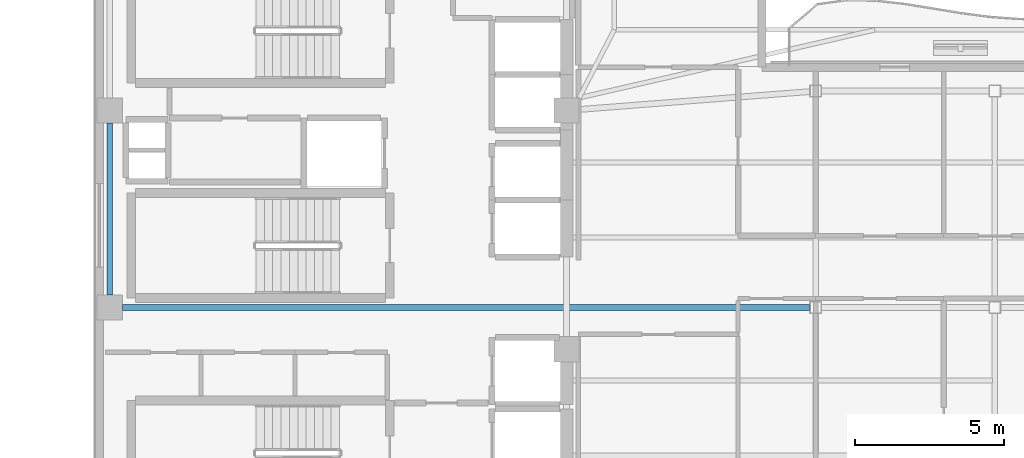
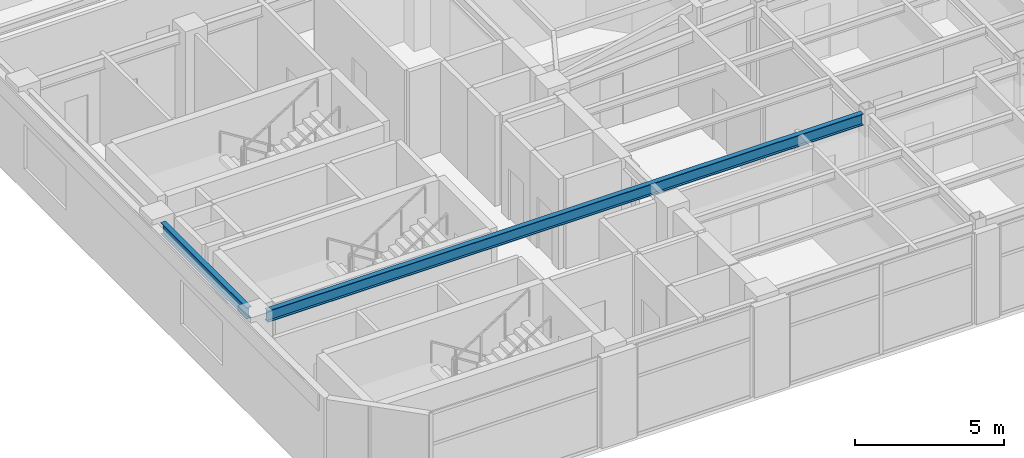
# One storey, part 3 of 15: 2 beams.
"""IFC4 building model written with IfcOpenShell, lengths in metres."""

from ifc_helpers import new_model, si_unit, direction, frame, origin, origin_2d, place, context, subcontext, project, spatial, i_section, extrude, material, material_profile, profile_set, type_object, element, save


model = new_model("IFC4")

# Units and contexts
model_context = context("Model", 3, precision=1e-05, world=origin(), true_north=direction((0.0, 1.0)))
body_context = subcontext(model_context, "Body", "Model", "MODEL_VIEW")
ifc_project = project(units=[si_unit("LENGTHUNIT", "METRE"), si_unit("AREAUNIT", "SQUARE_METRE"), si_unit("VOLUMEUNIT", "CUBIC_METRE"), si_unit("PLANEANGLEUNIT", "RADIAN"), si_unit("MASSUNIT", "GRAM", prefix="KILO")], contexts=[model_context])

# Site, building, storey
site_placement = place(None, origin())
site = spatial("IfcSite", under=ifc_project, at=site_placement, CompositionType="ELEMENT")
building_placement = place(site_placement, origin())
building = spatial("IfcBuilding", under=site, at=building_placement, Name="Mawjaban Terraces University", CompositionType="ELEMENT")
storey_placement = place(building_placement, frame((0.0, 0.0, 279.39990234375)))
storey = spatial("IfcBuildingStorey", under=building, at=storey_placement, Name="L68", CompositionType="ELEMENT", Elevation=279.39990234375)

# Beams
ifc_material = material(Name="Steel ASTM A572 Grade 50", Category="steel")
ifc_material_profile = material_profile(ifc_material, i_section(OverallWidth=0.194091796875, OverallDepth=0.468994140625, WebThickness=0.011474609375, FlangeThickness=0.0205078125, at=origin_2d()), Name="W460X106")
ifc_profile_set = profile_set([ifc_material_profile], Name="Steel ASTM A572 Grade 50")
beam_type = type_object("IfcBeamType", Name="Beam_B_W460X106", PredefinedType="BEAM", material=ifc_profile_set)
beam_1_placement = place(storey_placement, frame((22.77490234375, 7.949951171875, 3.455078125), z_axis=(1.0, 0.0, 0.0), x_axis=(0.0, 1.0, 0.0)))
element("IfcBeam", 1, at=beam_1_placement, inside=storey, type_object=beam_type, Name="L68 Beam BM-L68-EW-03", PredefinedType="BEAM", context=body_context, shape_type="SweptSolid", body=[
    extrude(i_section(OverallWidth=0.194091796875, OverallDepth=0.468994140625, WebThickness=0.011474609375, FlangeThickness=0.0205078125, at=origin_2d()), origin(), (0.0, 0.0, 1.0), 23.025146484375),
])
beam_2_placement = place(storey_placement, frame((22.35009765625, 8.375, 3.455078125), z_axis=(0.0, 1.0, 0.0), x_axis=(-1.0, 0.0, 0.0)))
element("IfcBeam", 2, at=beam_2_placement, inside=storey, type_object=beam_type, Name="L68 Beam BM-L68-NS-01", PredefinedType="BEAM", context=body_context, shape_type="SweptSolid", body=[
    extrude(i_section(OverallWidth=0.194091796875, OverallDepth=0.468994140625, WebThickness=0.011474609375, FlangeThickness=0.0205078125, at=origin_2d()), origin(), (0.0, 0.0, 1.0), 5.75),
])

save(model, "model.ifc")
